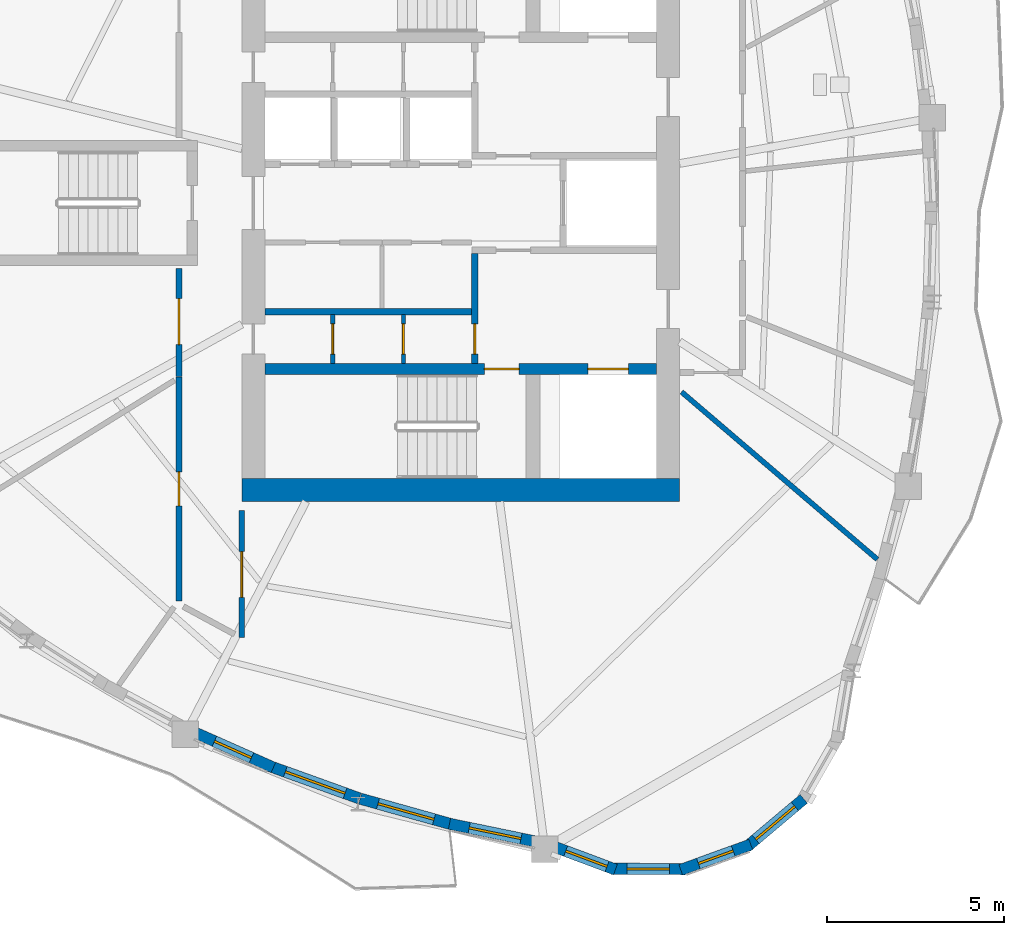
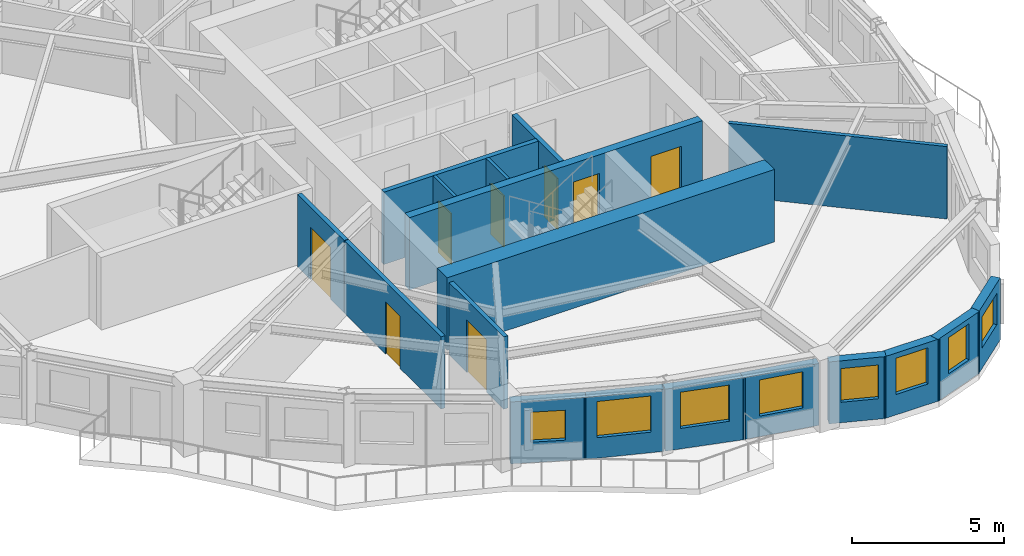
# One storey, part 3 of 12: 18 walls, 8 doors, 8 windows, 16 openings.
"""IFC4 building model written with IfcOpenShell, lengths in metres."""

from ifc_helpers import new_model, si_unit, direction, frame, frame_2d, origin, place, context, subcontext, project, spatial, rectangle, extrude, source, transform, mapped, material, layer, layer_set, type_object, element, fill, save


model = new_model("IFC4")

# Units and contexts
model_context = context("Model", 3, precision=1e-05, world=origin(), true_north=direction((0.0, 1.0)))
body_context = subcontext(model_context, "Body", "Model", "MODEL_VIEW")
ifc_project = project(units=[si_unit("LENGTHUNIT", "METRE"), si_unit("AREAUNIT", "SQUARE_METRE"), si_unit("VOLUMEUNIT", "CUBIC_METRE"), si_unit("PLANEANGLEUNIT", "RADIAN"), si_unit("MASSUNIT", "GRAM", prefix="KILO")], contexts=[model_context])

# Site, building, storey
site_placement = place(None, origin())
site = spatial("IfcSite", under=ifc_project, at=site_placement, CompositionType="ELEMENT")
building_placement = place(site_placement, origin())
building = spatial("IfcBuilding", under=site, at=building_placement, Name="Qafzar Sky-Pleat Residences", CompositionType="ELEMENT")
storey_placement = place(building_placement, frame((0.0, 0.0, 187.39990234375)))
storey = spatial("IfcBuildingStorey", under=building, at=storey_placement, Name="L56", CompositionType="ELEMENT", Elevation=187.39990234375)

# Wall, opening, door
ifc_material_1 = material(Name="Acoustic gypsum plasterboard partition", Category="gypsum")
ifc_layer_1 = layer(ifc_material_1, 0.159912109375)
ifc_layer_set_1 = layer_set([ifc_layer_1], Name="Acoustic gypsum plasterboard partition")
wall_type_1 = type_object("IfcWallType", Name="PART-COR-160", PredefinedType="PARTITIONING", material=ifc_layer_set_1)
wall_1_placement = place(storey_placement, frame((22.3701171875, 14.72998046875, 0.0), z_axis=(0.0, 0.0, 1.0), x_axis=(0.0, 1.0, 0.0)))
wall_1 = element("IfcWall", 1, at=wall_1_placement, inside=storey, type_object=wall_type_1, Name="L56 Partition Wall PART-L56-PW-002", PredefinedType="PARTITIONING", context=body_context, shape_type="SweptSolid", body=[
    extrude(rectangle(XDim=6.344970703125, YDim=0.159912109375, at=frame_2d((3.17236328125, 0.0))), origin(), (0.0, 0.0, 1.0), 2.900146484375),
])
opening_1_placement = place(wall_1_placement, frame((2.696533203125, 0.0, 0.0)))
opening_1 = element("IfcOpeningElement", 2, at=opening_1_placement, cuts=wall_1, Name="Opening ID-06", PredefinedType="OPENING", context=body_context, shape_type="SweptSolid", body=[
    extrude(rectangle(XDim=0.9599609375, YDim=2.10009765625, at=frame_2d((0.47998046875, 1.050048828125))), frame((0.0, 0.08984375, 0.0), z_axis=(0.0, -1.0, 0.0), x_axis=(1.0, 0.0, 0.0)), (0.0, 0.0, 1.0), 0.179931640625),
])
ifc_material_2 = material(Name="Timber-faced fire door", Category="wood")
door_type_1 = type_object("IfcDoorType", Name="DR-STD-960", OperationType="NOTDEFINED", PredefinedType="DOOR", material=ifc_material_2)
shared_shape_1 = source(origin(), body_context, "Body", "SweptSolid", [
    extrude(rectangle(XDim=0.9599609375, YDim=2.10009765625, at=frame_2d((0.47998046875, 1.050048828125))), frame((0.0, 0.02490234375, 0.0), z_axis=(0.0, -1.0, 0.0), x_axis=(1.0, 0.0, 0.0)), (0.0, 0.0, 1.0), 0.050048828125),
])
door_1_placement = place(opening_1_placement, origin())
door_1 = element("IfcDoor", 3, at=door_1_placement, inside=storey, type_object=door_type_1, Name="L56 Graduate Desk Workspace Door", OperationType="SINGLE_SWING_RIGHT", OverallHeight=2.10009765625, OverallWidth=0.9599609375, PredefinedType="DOOR", context=body_context, shape_type="MappedRepresentation", body=[
    mapped(shared_shape_1, transform((0.0, 0.0, 0.0), x_axis=(1.0, 0.0, 0.0), y_axis=(0.0, 1.0, 0.0), z_axis=(0.0, 0.0, 1.0), scale=1.0)),
])
fill(opening_1, door_1)

wall_2_placement = place(storey_placement, frame((24.14990234375, 17.2900390625, 0.0), z_axis=(0.0, 0.0, 1.0), x_axis=(0.0, -1.0, 0.0)))
wall_2 = element("IfcWall", 4, at=wall_2_placement, inside=storey, type_object=wall_type_1, Name="L56 Partition Wall PART-L56-PW-007", PredefinedType="PARTITIONING", context=body_context, shape_type="SweptSolid", body=[
    extrude(rectangle(XDim=3.593017578125, YDim=0.159912109375, at=frame_2d((1.79638671875, 0.0))), origin(), (0.0, 0.0, 1.0), 2.900146484375),
])
opening_2_placement = place(wall_2_placement, frame((1.159423828125, 0.0, 0.0)))
opening_2 = element("IfcOpeningElement", 5, at=opening_2_placement, cuts=wall_2, Name="Opening ID-05", PredefinedType="OPENING", context=body_context, shape_type="SweptSolid", body=[
    extrude(rectangle(XDim=1.300048828125, YDim=2.10009765625, at=frame_2d((0.64990234375, 1.050048828125))), frame((0.0, 0.08984375, 0.0), z_axis=(0.0, -1.0, 0.0), x_axis=(1.0, 0.0, 0.0)), (0.0, 0.0, 1.0), 0.179931640625),
])
door_type_2 = type_object("IfcDoorType", Name="DR-LNG-1300", OperationType="DOUBLE_DOOR_SINGLE_SWING", PredefinedType="DOOR", material=ifc_material_2)
shared_shape_2 = source(origin(), body_context, "Body", "SweptSolid", [
    extrude(rectangle(XDim=1.300048828125, YDim=2.10009765625, at=frame_2d((0.64990234375, 1.050048828125))), frame((0.0, 0.02490234375, 0.0), z_axis=(0.0, -1.0, 0.0), x_axis=(1.0, 0.0, 0.0)), (0.0, 0.0, 1.0), 0.050048828125),
])
door_2_placement = place(opening_2_placement, origin())
door_2 = element("IfcDoor", 6, at=door_2_placement, inside=storey, type_object=door_type_2, Name="L56 Academic Seminar Room Door", OperationType="DOUBLE_DOOR_SINGLE_SWING", OverallHeight=2.10009765625, OverallWidth=1.300048828125, PredefinedType="DOOR", context=body_context, shape_type="MappedRepresentation", body=[
    mapped(shared_shape_2, transform((0.0, 0.0, 0.0), x_axis=(1.0, 0.0, 0.0), y_axis=(0.0, 1.0, 0.0), z_axis=(0.0, 0.0, 1.0), scale=1.0)),
])
fill(opening_2, door_2)

wall_3_placement = place(storey_placement, frame((22.3701171875, 21.090087890625, 0.0), z_axis=(0.0, 0.0, 1.0), x_axis=(0.0, 1.0, 0.0)))
wall_3 = element("IfcWall", 7, at=wall_3_placement, inside=storey, type_object=wall_type_1, Name="L56 Partition Wall PART-L56-PW-009", PredefinedType="PARTITIONING", context=body_context, shape_type="SweptSolid", body=[
    extrude(rectangle(XDim=3.059814453125, YDim=0.159912109375, at=frame_2d((1.52978515625, 0.0))), origin(), (0.0, 0.0, 1.0), 2.900146484375),
])
opening_3_placement = place(wall_3_placement, frame((0.90087890625, 0.0, 0.0)))
opening_3 = element("IfcOpeningElement", 8, at=opening_3_placement, cuts=wall_3, Name="Opening ID-05", PredefinedType="OPENING", context=body_context, shape_type="SweptSolid", body=[
    extrude(rectangle(XDim=1.300048828125, YDim=2.10009765625, at=frame_2d((0.64990234375, 1.050048828125))), frame((0.0, 0.08984375, 0.0), z_axis=(0.0, -1.0, 0.0), x_axis=(1.0, 0.0, 0.0)), (0.0, 0.0, 1.0), 0.179931640625),
])
door_3_placement = place(opening_3_placement, origin())
door_3 = element("IfcDoor", 9, at=door_3_placement, inside=storey, type_object=door_type_2, Name="L56 Research Conference Room Door", OperationType="DOUBLE_DOOR_SINGLE_SWING", OverallHeight=2.10009765625, OverallWidth=1.300048828125, PredefinedType="DOOR", context=body_context, shape_type="MappedRepresentation", body=[
    mapped(shared_shape_2, transform((0.0, 0.0, 0.0), x_axis=(1.0, 0.0, 0.0), y_axis=(0.0, 1.0, 0.0), z_axis=(0.0, 0.0, 1.0), scale=1.0)),
])
fill(opening_3, door_3)

ifc_material_3 = material(Name="Concrete blockwork partition", Category="masonry")
ifc_layer_2 = layer(ifc_material_3, 0.179931640625)
ifc_layer_set_2 = layer_set([ifc_layer_2], Name="Concrete blockwork partition")
wall_type_2 = type_object("IfcWallType", Name="PART-SHAFT-180", PredefinedType="PARTITIONING", material=ifc_layer_set_2)
wall_4_placement = place(storey_placement, frame((30.75, 21.4599609375, 0.0), z_axis=(0.0, 0.0, 1.0), x_axis=(0.0, 1.0, 0.0)))
wall_4 = element("IfcWall", 10, at=wall_4_placement, inside=storey, type_object=wall_type_2, Name="L56 Partition Wall PART-L56-FFL1-W", PredefinedType="PARTITIONING", context=body_context, shape_type="SweptSolid", body=[
    extrude(rectangle(XDim=3.110107421875, YDim=0.179931640625, at=frame_2d((1.55517578125, 0.0))), origin(), (0.0, 0.0, 1.0), 2.900146484375),
])
opening_4_placement = place(wall_4_placement, frame((0.260009765625, 0.0, 0.0)))
opening_4 = element("IfcOpeningElement", 11, at=opening_4_placement, cuts=wall_4, Name="Opening ID-09", PredefinedType="OPENING", context=body_context, shape_type="SweptSolid", body=[
    extrude(rectangle(XDim=0.860107421875, YDim=2.050048828125, at=frame_2d((0.43017578125, 1.02490234375))), frame((0.0, 0.10009765625, 0.0), z_axis=(0.0, -1.0, 0.0), x_axis=(1.0, 0.0, 0.0)), (0.0, 0.0, 1.0), 0.199951171875),
])
door_type_3 = type_object("IfcDoorType", Name="DR-SVC-860", OperationType="NOTDEFINED", PredefinedType="DOOR", material=ifc_material_2)
shared_shape_3 = source(origin(), body_context, "Body", "SweptSolid", [
    extrude(rectangle(XDim=0.860107421875, YDim=2.050048828125, at=frame_2d((0.43017578125, 1.02490234375))), frame((0.0, 0.02490234375, 0.0), z_axis=(0.0, -1.0, 0.0), x_axis=(1.0, 0.0, 0.0)), (0.0, 0.0, 1.0), 0.050048828125),
])
door_4_placement = place(opening_4_placement, origin())
door_4 = element("IfcDoor", 12, at=door_4_placement, inside=storey, type_object=door_type_3, Name="L56 South Core Cupboard Door", OperationType="SINGLE_SWING_RIGHT", OverallHeight=2.050048828125, OverallWidth=0.860107421875, PredefinedType="DOOR", context=body_context, shape_type="MappedRepresentation", body=[
    mapped(shared_shape_3, transform((0.0, 0.0, 0.0), x_axis=(1.0, 0.0, 0.0), y_axis=(0.0, 1.0, 0.0), z_axis=(0.0, 0.0, 1.0), scale=1.0)),
])
fill(opening_4, door_4)

# Wall
wall_5_placement = place(storey_placement, frame((24.81005859375, 22.919921875, 0.0), z_axis=(0.0, 0.0, 1.0), x_axis=(1.0, 0.0, 0.0)))
element("IfcWall", 13, at=wall_5_placement, inside=storey, type_object=wall_type_2, Name="L56 Partition Wall PART-L56-P13-S", PredefinedType="PARTITIONING", context=body_context, shape_type="SweptSolid", body=[
    extrude(rectangle(XDim=5.83984375, YDim=0.179931640625, at=frame_2d((2.919921875, 0.0))), origin(), (0.0, 0.0, 1.0), 2.900146484375),
])

# Wall, opening, door
ifc_material_4 = material(Name="Gypsum plasterboard partition", Category="gypsum")
ifc_layer_3 = layer(ifc_material_4, 0.114990234375)
ifc_layer_set_3 = layer_set([ifc_layer_3], Name="Gypsum plasterboard partition")
wall_type_3 = type_object("IfcWallType", Name="PART-SVC-115", PredefinedType="PARTITIONING", material=ifc_layer_set_3)
wall_6_placement = place(storey_placement, frame((26.72509765625, 21.4599609375, 0.0), z_axis=(0.0, 0.0, 1.0), x_axis=(0.0, 1.0, 0.0)))
wall_6 = element("IfcWall", 14, at=wall_6_placement, inside=storey, type_object=wall_type_3, Name="L56 Partition Wall PART-L56-KC-SW-1", PredefinedType="PARTITIONING", context=body_context, shape_type="SweptSolid", body=[
    extrude(rectangle(XDim=1.380126953125, YDim=0.114990234375, at=frame_2d((0.68994140625, 0.0))), origin(), (0.0, 0.0, 1.0), 2.900146484375),
])
opening_5_placement = place(wall_6_placement, frame((0.260009765625, 0.0, 0.0)))
opening_5 = element("IfcOpeningElement", 15, at=opening_5_placement, cuts=wall_6, Name="Opening ID-09", PredefinedType="OPENING", context=body_context, shape_type="SweptSolid", body=[
    extrude(rectangle(XDim=0.860107421875, YDim=2.050048828125, at=frame_2d((0.43017578125, 1.02490234375))), frame((0.0, 0.0673828125, 0.0), z_axis=(0.0, -1.0, 0.0), x_axis=(1.0, 0.0, 0.0)), (0.0, 0.0, 1.0), 0.135009765625),
])
door_5_placement = place(opening_5_placement, origin())
door_5 = element("IfcDoor", 16, at=door_5_placement, inside=storey, type_object=door_type_3, Name="L56 Core South Cupboard 1 Door", OperationType="SINGLE_SWING_RIGHT", OverallHeight=2.050048828125, OverallWidth=0.860107421875, PredefinedType="DOOR", context=body_context, shape_type="MappedRepresentation", body=[
    mapped(shared_shape_3, transform((0.0, 0.0, 0.0), x_axis=(1.0, 0.0, 0.0), y_axis=(0.0, 1.0, 0.0), z_axis=(0.0, 0.0, 1.0), scale=1.0)),
])
fill(opening_5, door_5)

wall_7_placement = place(storey_placement, frame((28.72509765625, 21.4599609375, 0.0), z_axis=(0.0, 0.0, 1.0), x_axis=(0.0, 1.0, 0.0)))
wall_7 = element("IfcWall", 17, at=wall_7_placement, inside=storey, type_object=wall_type_3, Name="L56 Partition Wall PART-L56-KC-SW-2", PredefinedType="PARTITIONING", context=body_context, shape_type="SweptSolid", body=[
    extrude(rectangle(XDim=1.380126953125, YDim=0.114990234375, at=frame_2d((0.68994140625, 0.0))), origin(), (0.0, 0.0, 1.0), 2.900146484375),
])
opening_6_placement = place(wall_7_placement, frame((0.260009765625, 0.0, 0.0)))
opening_6 = element("IfcOpeningElement", 18, at=opening_6_placement, cuts=wall_7, Name="Opening ID-09", PredefinedType="OPENING", context=body_context, shape_type="SweptSolid", body=[
    extrude(rectangle(XDim=0.860107421875, YDim=2.050048828125, at=frame_2d((0.43017578125, 1.02490234375))), frame((0.0, 0.0673828125, 0.0), z_axis=(0.0, -1.0, 0.0), x_axis=(1.0, 0.0, 0.0)), (0.0, 0.0, 1.0), 0.135009765625),
])
door_6_placement = place(opening_6_placement, origin())
door_6 = element("IfcDoor", 19, at=door_6_placement, inside=storey, type_object=door_type_3, Name="L56 Core South Cupboard 2 Door", OperationType="SINGLE_SWING_RIGHT", OverallHeight=2.050048828125, OverallWidth=0.860107421875, PredefinedType="DOOR", context=body_context, shape_type="MappedRepresentation", body=[
    mapped(shared_shape_3, transform((0.0, 0.0, 0.0), x_axis=(1.0, 0.0, 0.0), y_axis=(0.0, 1.0, 0.0), z_axis=(0.0, 0.0, 1.0), scale=1.0)),
])
fill(opening_6, door_6)

# Wall
ifc_layer_4 = layer(ifc_material_1, 0.14501953125)
ifc_layer_set_4 = layer_set([ifc_layer_4], Name="Acoustic gypsum plasterboard partition")
wall_type_4 = type_object("IfcWallType", Name="PART-UNIT-145", PredefinedType="PARTITIONING", material=ifc_layer_set_4)
wall_8_placement = place(storey_placement, frame((36.603271484375, 20.650390625, 0.0), z_axis=(0.0, 0.0, 1.0), x_axis=(0.759924803985, -0.650010993975, 0.0)))
element("IfcWall", 20, at=wall_8_placement, inside=storey, type_object=wall_type_4, Name="L56 Partition Wall PART-L56-PW-014", PredefinedType="PARTITIONING", context=body_context, shape_type="SweptSolid", body=[
    extrude(rectangle(XDim=7.29443359375, YDim=0.14501953125, at=frame_2d((3.647216796875, 0.0))), origin(), (0.0, 0.0, 1.0), 2.900146484375),
])

# Wall, opening, window
ifc_material_5 = material(Name="Precast concrete C40/50 with honed Riyadh limestone", Category="concrete")
ifc_layer_5 = layer(ifc_material_5, 0.320068359375)
ifc_layer_set_5 = layer_set([ifc_layer_5], Name="Precast concrete C40/50 with honed Riyadh limestone")
wall_type_5 = type_object("IfcWallType", Name="WALL-EXT-320", PredefinedType="SOLIDWALL", material=ifc_layer_set_5)
wall_9_placement = place(storey_placement, frame((22.763671875, 11.03076171875, 0.0), z_axis=(0.0, 0.0, 1.0), x_axis=(0.913148933567, -0.407626084942, 0.0)))
wall_9 = element("IfcWall", 21, at=wall_9_placement, inside=storey, type_object=wall_type_5, Name="L56 Limestone Facade Wall 13", PredefinedType="SOLIDWALL", context=body_context, shape_type="SweptSolid", body=[
    extrude(rectangle(XDim=2.496337890625, YDim=0.320068359375, at=frame_2d((1.248046875, 0.0))), origin(), (0.0, 0.0, 1.0), 2.47998046875),
])
opening_7_placement = place(wall_9_placement, frame((0.668212890625, 0.0, 0.820068359375)))
opening_7 = element("IfcOpeningElement", 22, at=opening_7_placement, cuts=wall_9, Name="Opening WN-16", PredefinedType="OPENING", context=body_context, shape_type="SweptSolid", body=[
    extrude(rectangle(XDim=1.14990234375, YDim=1.199951171875, at=frame_2d((0.574951171875, 0.60009765625))), frame((0.0, 0.169921875, 0.0), z_axis=(0.0, -1.0, 0.0), x_axis=(1.0, 0.0, 0.0)), (0.0, 0.0, 1.0), 0.340087890625),
])
ifc_material_6 = material(Name="Solar-control low-E glass in bronze aluminium frame", Category="glass")
window_type_1 = type_object("IfcWindowType", Name="WIN-16", PartitioningType="SINGLE_PANEL", PredefinedType="WINDOW", material=ifc_material_6)
shared_shape_4 = source(origin(), body_context, "Body", "SweptSolid", [
    extrude(rectangle(XDim=1.14990234375, YDim=1.199951171875, at=frame_2d((0.574951171875, 0.60009765625))), frame((0.0, 0.030029296875, 0.0), z_axis=(0.0, -1.0, 0.0), x_axis=(1.0, 0.0, 0.0)), (0.0, 0.0, 1.0), 0.06005859375),
])
window_1_placement = place(opening_7_placement, origin())
window_1 = element("IfcWindow", 23, at=window_1_placement, inside=storey, type_object=window_type_1, Name="L56 Punched Facade Window 13", OverallHeight=1.199951171875, OverallWidth=1.14990234375, PartitioningType="SINGLE_PANEL", PredefinedType="WINDOW", context=body_context, shape_type="MappedRepresentation", body=[
    mapped(shared_shape_4, transform((0.0, 0.0, 0.0), x_axis=(1.0, 0.0, 0.0), y_axis=(0.0, 1.0, 0.0), z_axis=(0.0, 0.0, 1.0), scale=1.0)),
])
fill(opening_7, window_1)

wall_10_placement = place(storey_placement, frame((24.961669921875, 10.046142578125, 0.0), z_axis=(0.0, 0.0, 1.0), x_axis=(0.940882751101, -0.33873241457, 0.0)))
wall_10 = element("IfcWall", 24, at=wall_10_placement, inside=storey, type_object=wall_type_5, Name="L56 Limestone Facade Wall 14", PredefinedType="SOLIDWALL", context=body_context, shape_type="SweptSolid", body=[
    extrude(rectangle(XDim=2.671142578125, YDim=0.320068359375, at=frame_2d((1.33544921875, 0.0))), origin(), (0.0, 0.0, 1.0), 2.47998046875),
])
opening_8_placement = place(wall_10_placement, frame((0.445556640625, 0.0, 0.820068359375)))
opening_8 = element("IfcOpeningElement", 25, at=opening_8_placement, cuts=wall_10, Name="Opening WN-01", PredefinedType="OPENING", context=body_context, shape_type="SweptSolid", body=[
    extrude(rectangle(XDim=1.800048828125, YDim=1.449951171875, at=frame_2d((0.89990234375, 0.72509765625))), frame((0.0, 0.169921875, 0.0), z_axis=(0.0, -1.0, 0.0), x_axis=(1.0, 0.0, 0.0)), (0.0, 0.0, 1.0), 0.340087890625),
])
window_type_2 = type_object("IfcWindowType", Name="WIN-01", PartitioningType="DOUBLE_PANEL_VERTICAL", PredefinedType="WINDOW", material=ifc_material_6)
shared_shape_5 = source(origin(), body_context, "Body", "SweptSolid", [
    extrude(rectangle(XDim=1.800048828125, YDim=1.449951171875, at=frame_2d((0.89990234375, 0.72509765625))), frame((0.0, 0.030029296875, 0.0), z_axis=(0.0, -1.0, 0.0), x_axis=(1.0, 0.0, 0.0)), (0.0, 0.0, 1.0), 0.06005859375),
])
window_2_placement = place(opening_8_placement, origin())
window_2 = element("IfcWindow", 26, at=window_2_placement, inside=storey, type_object=window_type_2, Name="L56 Punched Facade Window 14", OverallHeight=1.449951171875, OverallWidth=1.800048828125, PartitioningType="SINGLE_PANEL", PredefinedType="WINDOW", context=body_context, shape_type="MappedRepresentation", body=[
    mapped(shared_shape_5, transform((0.0, 0.0, 0.0), x_axis=(1.0, 0.0, 0.0), y_axis=(0.0, 1.0, 0.0), z_axis=(0.0, 0.0, 1.0), scale=1.0)),
])
fill(opening_8, window_2)

wall_11_placement = place(storey_placement, frame((27.501953125, 9.1328125, 0.0), z_axis=(0.0, 0.0, 1.0), x_axis=(0.962852806557, -0.270026800345, 0.0)))
wall_11 = element("IfcWall", 27, at=wall_11_placement, inside=storey, type_object=wall_type_5, Name="L56 Limestone Facade Wall 15", PredefinedType="SOLIDWALL", context=body_context, shape_type="SweptSolid", body=[
    extrude(rectangle(XDim=2.715087890625, YDim=0.320068359375, at=frame_2d((1.357421875, 0.0))), origin(), (0.0, 0.0, 1.0), 2.47998046875),
])
opening_9_placement = place(wall_11_placement, frame((0.522705078125, 0.0, 0.820068359375)))
opening_9 = element("IfcOpeningElement", 28, at=opening_9_placement, cuts=wall_11, Name="Opening WN-02", PredefinedType="OPENING", context=body_context, shape_type="SweptSolid", body=[
    extrude(rectangle(XDim=1.64990234375, YDim=1.449951171875, at=frame_2d((0.824951171875, 0.72509765625))), frame((0.0, 0.169921875, 0.0), z_axis=(0.0, -1.0, 0.0), x_axis=(1.0, 0.0, 0.0)), (0.0, 0.0, 1.0), 0.340087890625),
])
window_type_3 = type_object("IfcWindowType", Name="WIN-02", PartitioningType="DOUBLE_PANEL_VERTICAL", PredefinedType="WINDOW", material=ifc_material_6)
shared_shape_6 = source(origin(), body_context, "Body", "SweptSolid", [
    extrude(rectangle(XDim=1.64990234375, YDim=1.449951171875, at=frame_2d((0.824951171875, 0.72509765625))), frame((0.0, 0.030029296875, 0.0), z_axis=(0.0, -1.0, 0.0), x_axis=(1.0, 0.0, 0.0)), (0.0, 0.0, 1.0), 0.06005859375),
])
window_3_placement = place(opening_9_placement, origin())
window_3 = element("IfcWindow", 29, at=window_3_placement, inside=storey, type_object=window_type_3, Name="L56 Punched Facade Window 15", OverallHeight=1.449951171875, OverallWidth=1.64990234375, PartitioningType="SINGLE_PANEL", PredefinedType="WINDOW", context=body_context, shape_type="MappedRepresentation", body=[
    mapped(shared_shape_6, transform((0.0, 0.0, 0.0), x_axis=(1.0, 0.0, 0.0), y_axis=(0.0, 1.0, 0.0), z_axis=(0.0, 0.0, 1.0), scale=1.0)),
])
fill(opening_9, window_3)

wall_12_placement = place(storey_placement, frame((30.03173828125, 8.42041015625, 0.0), z_axis=(0.0, 0.0, 1.0), x_axis=(0.979291555144, -0.202455056799, 0.0)))
wall_12 = element("IfcWall", 30, at=wall_12_placement, inside=storey, type_object=wall_type_5, Name="L56 Limestone Facade Wall 16", PredefinedType="SOLIDWALL", context=body_context, shape_type="SweptSolid", body=[
    extrude(rectangle(XDim=2.627685546875, YDim=0.320068359375, at=frame_2d((1.31396484375, 0.0))), origin(), (0.0, 0.0, 1.0), 2.47998046875),
])
opening_10_placement = place(wall_12_placement, frame((0.56884765625, 0.0, 0.820068359375)))
opening_10 = element("IfcOpeningElement", 31, at=opening_10_placement, cuts=wall_12, Name="Opening WN-03", PredefinedType="OPENING", context=body_context, shape_type="SweptSolid", body=[
    extrude(rectangle(XDim=1.5, YDim=1.449951171875, at=frame_2d((0.75, 0.72509765625))), frame((0.0, 0.169921875, 0.0), z_axis=(0.0, -1.0, 0.0), x_axis=(1.0, 0.0, 0.0)), (0.0, 0.0, 1.0), 0.340087890625),
])
window_type_4 = type_object("IfcWindowType", Name="WIN-03", PartitioningType="DOUBLE_PANEL_VERTICAL", PredefinedType="WINDOW", material=ifc_material_6)
shared_shape_7 = source(origin(), body_context, "Body", "SweptSolid", [
    extrude(rectangle(XDim=1.5, YDim=1.449951171875, at=frame_2d((0.75, 0.72509765625))), frame((0.0, 0.030029296875, 0.0), z_axis=(0.0, -1.0, 0.0), x_axis=(1.0, 0.0, 0.0)), (0.0, 0.0, 1.0), 0.06005859375),
])
window_4_placement = place(opening_10_placement, origin())
window_4 = element("IfcWindow", 32, at=window_4_placement, inside=storey, type_object=window_type_4, Name="L56 Punched Facade Window 16", OverallHeight=1.449951171875, OverallWidth=1.5, PartitioningType="SINGLE_PANEL", PredefinedType="WINDOW", context=body_context, shape_type="MappedRepresentation", body=[
    mapped(shared_shape_7, transform((0.0, 0.0, 0.0), x_axis=(1.0, 0.0, 0.0), y_axis=(0.0, 1.0, 0.0), z_axis=(0.0, 0.0, 1.0), scale=1.0)),
])
fill(opening_10, window_4)

wall_13_placement = place(storey_placement, frame((32.944580078125, 7.79052734375, 0.0), z_axis=(0.0, 0.0, 1.0), x_axis=(0.93690697627, -0.349578771977, 0.0)))
wall_13 = element("IfcWall", 33, at=wall_13_placement, inside=storey, type_object=wall_type_5, Name="L56 Limestone Facade Wall 17", PredefinedType="SOLIDWALL", context=body_context, shape_type="SweptSolid", body=[
    extrude(rectangle(XDim=1.906005859375, YDim=0.320068359375, at=frame_2d((0.953125, 0.0))), origin(), (0.0, 0.0, 1.0), 2.47998046875),
])
opening_11_placement = place(wall_13_placement, frame((0.40283203125, 0.0, 0.820068359375)))
opening_11 = element("IfcOpeningElement", 34, at=opening_11_placement, cuts=wall_13, Name="Opening WN-11", PredefinedType="OPENING", context=body_context, shape_type="SweptSolid", body=[
    extrude(rectangle(XDim=1.25, YDim=1.35009765625, at=frame_2d((0.625, 0.675048828125))), frame((0.0, 0.169921875, 0.0), z_axis=(0.0, -1.0, 0.0), x_axis=(1.0, 0.0, 0.0)), (0.0, 0.0, 1.0), 0.340087890625),
])
window_type_5 = type_object("IfcWindowType", Name="WIN-11", PartitioningType="SINGLE_PANEL", PredefinedType="WINDOW", material=ifc_material_6)
shared_shape_8 = source(origin(), body_context, "Body", "SweptSolid", [
    extrude(rectangle(XDim=1.25, YDim=1.35009765625, at=frame_2d((0.625, 0.675048828125))), frame((0.0, 0.030029296875, 0.0), z_axis=(0.0, -1.0, 0.0), x_axis=(1.0, 0.0, 0.0)), (0.0, 0.0, 1.0), 0.06005859375),
])
window_5_placement = place(opening_11_placement, origin())
window_5 = element("IfcWindow", 35, at=window_5_placement, inside=storey, type_object=window_type_5, Name="L56 Punched Facade Window 17", OverallHeight=1.35009765625, OverallWidth=1.25, PartitioningType="SINGLE_PANEL", PredefinedType="WINDOW", context=body_context, shape_type="MappedRepresentation", body=[
    mapped(shared_shape_8, transform((0.0, 0.0, 0.0), x_axis=(1.0, 0.0, 0.0), y_axis=(0.0, 1.0, 0.0), z_axis=(0.0, 0.0, 1.0), scale=1.0)),
])
fill(opening_11, window_5)

wall_14_placement = place(storey_placement, frame((34.6015625, 7.14794921875, 0.0), z_axis=(0.0, 0.0, 1.0), x_axis=(0.9999881768, -0.004862742089, 0.0)))
wall_14 = element("IfcWall", 36, at=wall_14_placement, inside=storey, type_object=wall_type_5, Name="L56 Limestone Facade Wall 18", PredefinedType="SOLIDWALL", context=body_context, shape_type="SweptSolid", body=[
    extrude(rectangle(XDim=2.108642578125, YDim=0.320068359375, at=frame_2d((1.05419921875, 0.0))), origin(), (0.0, 0.0, 1.0), 2.47998046875),
])
opening_12_placement = place(wall_14_placement, frame((0.454345703125, 0.0, 0.820068359375)))
opening_12 = element("IfcOpeningElement", 37, at=opening_12_placement, cuts=wall_14, Name="Opening WN-05", PredefinedType="OPENING", context=body_context, shape_type="SweptSolid", body=[
    extrude(rectangle(XDim=1.199951171875, YDim=1.449951171875, at=frame_2d((0.60009765625, 0.72509765625))), frame((0.0, 0.169921875, 0.0), z_axis=(0.0, -1.0, 0.0), x_axis=(1.0, 0.0, 0.0)), (0.0, 0.0, 1.0), 0.340087890625),
])
window_type_6 = type_object("IfcWindowType", Name="WIN-05", PartitioningType="SINGLE_PANEL", PredefinedType="WINDOW", material=ifc_material_6)
shared_shape_9 = source(origin(), body_context, "Body", "SweptSolid", [
    extrude(rectangle(XDim=1.199951171875, YDim=1.449951171875, at=frame_2d((0.60009765625, 0.72509765625))), frame((0.0, 0.030029296875, 0.0), z_axis=(0.0, -1.0, 0.0), x_axis=(1.0, 0.0, 0.0)), (0.0, 0.0, 1.0), 0.06005859375),
])
window_6_placement = place(opening_12_placement, origin())
window_6 = element("IfcWindow", 38, at=window_6_placement, inside=storey, type_object=window_type_6, Name="L56 Punched Facade Window 18", OverallHeight=1.449951171875, OverallWidth=1.199951171875, PartitioningType="SINGLE_PANEL", PredefinedType="WINDOW", context=body_context, shape_type="MappedRepresentation", body=[
    mapped(shared_shape_9, transform((0.0, 0.0, 0.0), x_axis=(1.0, 0.0, 0.0), y_axis=(0.0, 1.0, 0.0), z_axis=(0.0, 0.0, 1.0), scale=1.0)),
])
fill(opening_12, window_6)

wall_15_placement = place(storey_placement, frame((36.581298828125, 7.115234375, 0.0), z_axis=(0.0, 0.0, 1.0), x_axis=(0.940205133241, 0.340608730698, 0.0)))
wall_15 = element("IfcWall", 39, at=wall_15_placement, inside=storey, type_object=wall_type_5, Name="L56 Limestone Facade Wall 19", PredefinedType="SOLIDWALL", context=body_context, shape_type="SweptSolid", body=[
    extrude(rectangle(XDim=2.108642578125, YDim=0.320068359375, at=frame_2d((1.05419921875, 0.0))), origin(), (0.0, 0.0, 1.0), 2.47998046875),
])
opening_13_placement = place(wall_15_placement, frame((0.529296875, 0.0, 0.820068359375)))
opening_13 = element("IfcOpeningElement", 40, at=opening_13_placement, cuts=wall_15, Name="Opening WN-06", PredefinedType="OPENING", context=body_context, shape_type="SweptSolid", body=[
    extrude(rectangle(XDim=1.050048828125, YDim=1.449951171875, at=frame_2d((0.52490234375, 0.72509765625))), frame((0.0, 0.169921875, 0.0), z_axis=(0.0, -1.0, 0.0), x_axis=(1.0, 0.0, 0.0)), (0.0, 0.0, 1.0), 0.340087890625),
])
window_type_7 = type_object("IfcWindowType", Name="WIN-06", PartitioningType="SINGLE_PANEL", PredefinedType="WINDOW", material=ifc_material_6)
shared_shape_10 = source(origin(), body_context, "Body", "SweptSolid", [
    extrude(rectangle(XDim=1.050048828125, YDim=1.449951171875, at=frame_2d((0.52490234375, 0.72509765625))), frame((0.0, 0.030029296875, 0.0), z_axis=(0.0, -1.0, 0.0), x_axis=(1.0, 0.0, 0.0)), (0.0, 0.0, 1.0), 0.06005859375),
])
window_7_placement = place(opening_13_placement, origin())
window_7 = element("IfcWindow", 41, at=window_7_placement, inside=storey, type_object=window_type_7, Name="L56 Punched Facade Window 19", OverallHeight=1.449951171875, OverallWidth=1.050048828125, PartitioningType="SINGLE_PANEL", PredefinedType="WINDOW", context=body_context, shape_type="MappedRepresentation", body=[
    mapped(shared_shape_10, transform((0.0, 0.0, 0.0), x_axis=(1.0, 0.0, 0.0), y_axis=(0.0, 1.0, 0.0), z_axis=(0.0, 0.0, 1.0), scale=1.0)),
])
fill(opening_13, window_7)

wall_16_placement = place(storey_placement, frame((38.45068359375, 7.767822265625, 0.0), z_axis=(0.0, 0.0, 1.0), x_axis=(0.764947219724, 0.644092967697, 0.0)))
wall_16 = element("IfcWall", 42, at=wall_16_placement, inside=storey, type_object=wall_type_5, Name="L56 Limestone Facade Wall 20", PredefinedType="SOLIDWALL", context=body_context, shape_type="SweptSolid", body=[
    extrude(rectangle(XDim=2.109130859375, YDim=0.320068359375, at=frame_2d((1.0546875, 0.0))), origin(), (0.0, 0.0, 1.0), 2.47998046875),
])
opening_14_placement = place(wall_16_placement, frame((0.329345703125, 0.0, 0.820068359375)))
opening_14 = element("IfcOpeningElement", 43, at=opening_14_placement, cuts=wall_16, Name="Opening WN-15", PredefinedType="OPENING", context=body_context, shape_type="SweptSolid", body=[
    extrude(rectangle(XDim=1.449951171875, YDim=1.25, at=frame_2d((0.72509765625, 0.625))), frame((0.0, 0.169921875, 0.0), z_axis=(0.0, -1.0, 0.0), x_axis=(1.0, 0.0, 0.0)), (0.0, 0.0, 1.0), 0.340087890625),
])
window_type_8 = type_object("IfcWindowType", Name="WIN-15", PartitioningType="SINGLE_PANEL", PredefinedType="WINDOW", material=ifc_material_6)
shared_shape_11 = source(origin(), body_context, "Body", "SweptSolid", [
    extrude(rectangle(XDim=1.449951171875, YDim=1.25, at=frame_2d((0.72509765625, 0.625))), frame((0.0, 0.030029296875, 0.0), z_axis=(0.0, -1.0, 0.0), x_axis=(1.0, 0.0, 0.0)), (0.0, 0.0, 1.0), 0.06005859375),
])
window_8_placement = place(opening_14_placement, origin())
window_8 = element("IfcWindow", 44, at=window_8_placement, inside=storey, type_object=window_type_8, Name="L56 Punched Facade Window 20", OverallHeight=1.25, OverallWidth=1.449951171875, PartitioningType="SINGLE_PANEL", PredefinedType="WINDOW", context=body_context, shape_type="MappedRepresentation", body=[
    mapped(shared_shape_11, transform((0.0, 0.0, 0.0), x_axis=(1.0, 0.0, 0.0), y_axis=(0.0, 1.0, 0.0), z_axis=(0.0, 0.0, 1.0), scale=1.0)),
])
fill(opening_14, window_8)

# Wall, openings, doors
ifc_material_7 = material(Name="Concrete C60/75", Category="concrete")
ifc_layer_6 = layer(ifc_material_7, 0.300048828125)
ifc_layer_set_6 = layer_set([ifc_layer_6], Name="Concrete C60/75")
wall_type_6 = type_object("IfcWallType", Name="WALL-SHEAR-300", PredefinedType="SHEAR", material=ifc_layer_set_6)
wall_17_placement = place(storey_placement, frame((24.800048828125, 21.300048828125, 0.0), z_axis=(0.0, 0.0, 1.0), x_axis=(1.0, 0.0, 0.0)))
wall_17 = element("IfcWall", 45, at=wall_17_placement, inside=storey, type_object=wall_type_6, Name="L56 Stair ST1 and FF1 Shaft North Wall", PredefinedType="SHEAR", context=body_context, shape_type="SweptSolid", body=[
    extrude(rectangle(XDim=11.099853515625, YDim=0.300048828125, at=frame_2d((5.5498046875, 0.0))), origin(), (0.0, 0.0, 1.0), 2.900146484375),
])
opening_15_placement = place(wall_17_placement, frame((6.219970703125, 0.0, 0.0)))
opening_15 = element("IfcOpeningElement", 46, at=opening_15_placement, cuts=wall_17, Name="Opening ID-01", PredefinedType="OPENING", context=body_context, shape_type="SweptSolid", body=[
    extrude(rectangle(XDim=0.97998046875, YDim=2.14990234375, at=frame_2d((0.489990234375, 1.074951171875))), frame((0.0, 0.16015625, 0.0), z_axis=(0.0, -1.0, 0.0), x_axis=(1.0, 0.0, 0.0)), (0.0, 0.0, 1.0), 0.320068359375),
])
opening_16_placement = place(wall_17_placement, frame((9.14990234375, 0.0, 0.0)))
opening_16 = element("IfcOpeningElement", 47, at=opening_16_placement, cuts=wall_17, Name="Opening LD-02", PredefinedType="OPENING", context=body_context, shape_type="SweptSolid", body=[
    extrude(rectangle(XDim=1.14990234375, YDim=2.14990234375, at=frame_2d((0.574951171875, 1.074951171875))), frame((0.0, 0.16015625, 0.0), z_axis=(0.0, -1.0, 0.0), x_axis=(1.0, 0.0, 0.0)), (0.0, 0.0, 1.0), 0.320068359375),
])
door_type_4 = type_object("IfcDoorType", Name="DR-STAIR-980", OperationType="NOTDEFINED", PredefinedType="DOOR", material=ifc_material_2)
shared_shape_12 = source(origin(), body_context, "Body", "SweptSolid", [
    extrude(rectangle(XDim=0.97998046875, YDim=2.14990234375, at=frame_2d((0.489990234375, 1.074951171875))), frame((0.0, 0.02490234375, 0.0), z_axis=(0.0, -1.0, 0.0), x_axis=(1.0, 0.0, 0.0)), (0.0, 0.0, 1.0), 0.050048828125),
])
door_7_placement = place(opening_15_placement, origin())
door_7 = element("IfcDoor", 48, at=door_7_placement, inside=storey, type_object=door_type_4, Name="L56 Stair ST1 Fire Door", OperationType="SINGLE_SWING_LEFT", OverallHeight=2.14990234375, OverallWidth=0.97998046875, PredefinedType="DOOR", context=body_context, shape_type="MappedRepresentation", body=[
    mapped(shared_shape_12, transform((0.0, 0.0, 0.0), x_axis=(1.0, 0.0, 0.0), y_axis=(0.0, 1.0, 0.0), z_axis=(0.0, 0.0, 1.0), scale=1.0)),
])
fill(opening_15, door_7)
ifc_material_8 = material(Name="Stainless steel sliding landing door", Category="steel")
door_type_5 = type_object("IfcDoorType", Name="DR-LIFT-FF", OperationType="DOUBLE_DOOR_SLIDING", PredefinedType="DOOR", material=ifc_material_8)
shared_shape_13 = source(origin(), body_context, "Body", "SweptSolid", [
    extrude(rectangle(XDim=1.14990234375, YDim=2.14990234375, at=frame_2d((0.574951171875, 1.074951171875))), frame((0.0, 0.02490234375, 0.0), z_axis=(0.0, -1.0, 0.0), x_axis=(1.0, 0.0, 0.0)), (0.0, 0.0, 1.0), 0.050048828125),
])
door_8_placement = place(opening_16_placement, origin())
door_8 = element("IfcDoor", 49, at=door_8_placement, inside=storey, type_object=door_type_5, Name="L56 Firefighting Lift FF1 Landing Door", OperationType="DOUBLE_DOOR_SLIDING", OverallHeight=2.14990234375, OverallWidth=1.14990234375, PredefinedType="DOOR", context=body_context, shape_type="MappedRepresentation", body=[
    mapped(shared_shape_13, transform((0.0, 0.0, 0.0), x_axis=(1.0, 0.0, 0.0), y_axis=(0.0, 1.0, 0.0), z_axis=(0.0, 0.0, 1.0), scale=1.0)),
])
fill(opening_16, door_8)

# Wall
ifc_layer_7 = layer(ifc_material_7, 0.64990234375)
ifc_layer_set_7 = layer_set([ifc_layer_7], Name="Concrete C60/75")
wall_type_7 = type_object("IfcWallType", Name="WALL-SHEAR-650", PredefinedType="SHEAR", material=ifc_layer_set_7)
wall_18_placement = place(storey_placement, frame((24.14990234375, 17.875, 0.0), z_axis=(0.0, 0.0, 1.0), x_axis=(1.0, 0.0, 0.0)))
element("IfcWall", 50, at=wall_18_placement, inside=storey, type_object=wall_type_7, Name="L56 CORE wall S", PredefinedType="SHEAR", context=body_context, shape_type="SweptSolid", body=[
    extrude(rectangle(XDim=12.400146484375, YDim=0.64990234375, at=frame_2d((6.2001953125, 0.0))), origin(), (0.0, 0.0, 1.0), 2.900146484375),
])

save(model, "model.ifc")
